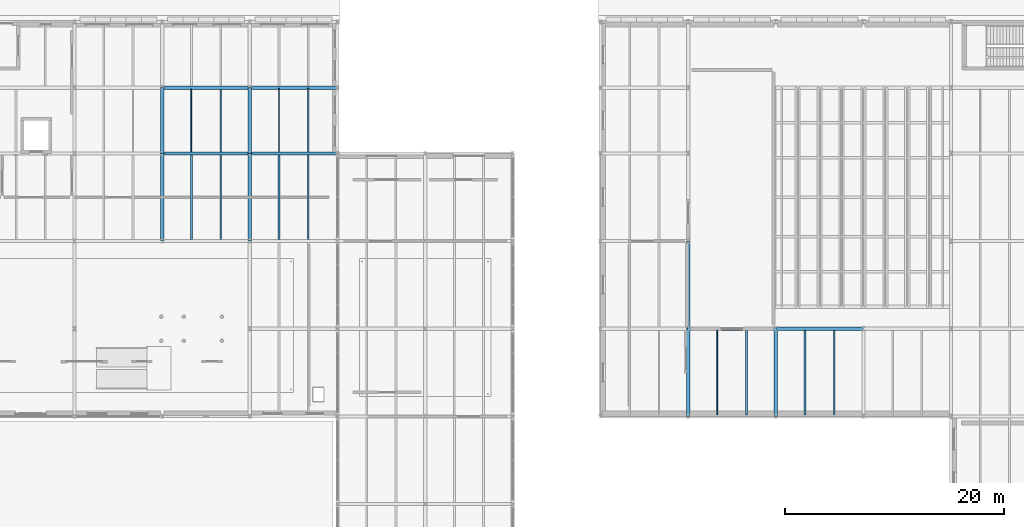
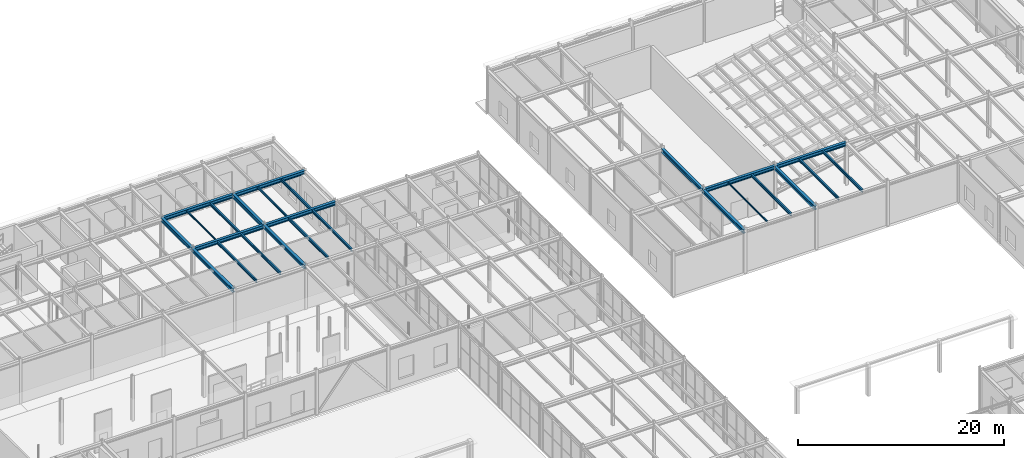
# One storey, part 52 of 129: 25 beams.
"""IFC4 building model written with IfcOpenShell, lengths in metres."""

from ifc_helpers import new_model, si_unit, direction, frame, origin, origin_2d, place, context, subcontext, project, spatial, i_section, extrude, material, material_profile, profile_set, type_object, element, save


model = new_model("IFC4")

# Units and contexts
model_context = context("Model", 3, precision=1e-05, world=origin(), true_north=direction((0.0, 1.0)))
body_context = subcontext(model_context, "Body", "Model", "MODEL_VIEW")
ifc_project = project(units=[si_unit("LENGTHUNIT", "METRE"), si_unit("AREAUNIT", "SQUARE_METRE"), si_unit("VOLUMEUNIT", "CUBIC_METRE"), si_unit("PLANEANGLEUNIT", "RADIAN"), si_unit("MASSUNIT", "GRAM", prefix="KILO")], contexts=[model_context])

# Site, building, storey
site_placement = place(None, origin())
site = spatial("IfcSite", under=ifc_project, at=site_placement, CompositionType="ELEMENT")
building_placement = place(site_placement, origin())
building = spatial("IfcBuilding", under=site, at=building_placement, Name="Sundkrona Museum", CompositionType="ELEMENT")
storey_placement = place(building_placement, origin())
storey = spatial("IfcBuildingStorey", under=building, at=storey_placement, Name="L00", CompositionType="ELEMENT", Elevation=0.0)

# Beams
ifc_material = material(Name="Steel S355J2", Category="steel")
ifc_material_profile_1 = material_profile(ifc_material, i_section(OverallWidth=0.300048828125, OverallDepth=0.43994140625, WebThickness=0.011474609375, FlangeThickness=0.02099609375, FilletRadius=0.027099609375, at=origin_2d()), Name="HEA 450")
ifc_profile_set_1 = profile_set([ifc_material_profile_1], Name="Steel S355J2")
beam_type_1 = type_object("IfcBeamType", Name="B-HEA450", PredefinedType="BEAM", material=ifc_profile_set_1)
for number, where, z_axis, x_axis, name in (
    (1, (112.0, 86.0, 4.830078125), (1.0, 0.0, 0.0), (0.0, 1.0, 0.0), "L00 Girder X-0541"),
    (2, (120.0, 86.0, 4.830078125), (1.0, 0.0, 0.0), (0.0, 1.0, 0.0), "L00 Girder X-0542"),
    (3, (64.0, 102.0, 4.93994140625), (1.0, 0.0, 0.0), (0.0, 1.0, 0.0), "L00 Girder X-0573"),
    (4, (72.0, 102.0, 4.919921875), (1.0, 0.0, 0.0), (0.0, 1.0, 0.0), "L00 Girder X-0574"),
    (5, (64.0, 108.0, 4.93994140625), (1.0, 0.0, 0.0), (0.0, 1.0, 0.0), "L00 Girder X-0590"),
    (6, (72.0, 108.0, 4.93994140625), (1.0, 0.0, 0.0), (0.0, 1.0, 0.0), "L00 Girder X-0591"),
    (7, (64.0, 94.0, 4.93994140625), (0.0, 1.0, 0.0), (-1.0, 0.0, 0.0), "L00 Girder Y-0663"),
):
    element("IfcBeam", number, at=place(storey_placement, frame(where, z_axis=z_axis, x_axis=x_axis)), inside=storey, type_object=beam_type_1, Name=name, PredefinedType="BEAM", context=body_context, shape_type="SweptSolid", body=[
        extrude(i_section(OverallWidth=0.300048828125, OverallDepth=0.43994140625, WebThickness=0.011474609375, FlangeThickness=0.02099609375, FilletRadius=0.027099609375, at=origin_2d()), origin(), (0.0, 0.0, 1.0), 8.0),
    ])
beam_1_placement = place(storey_placement, frame((64.0, 102.0, 4.93994140625), z_axis=(0.0, 1.0, 0.0), x_axis=(-1.0, 0.0, 0.0)))
element("IfcBeam", 8, at=beam_1_placement, inside=storey, type_object=beam_type_1, Name="L00 Girder Y-0664", PredefinedType="BEAM", context=body_context, shape_type="SweptSolid", body=[
    extrude(i_section(OverallWidth=0.300048828125, OverallDepth=0.43994140625, WebThickness=0.011474609375, FlangeThickness=0.02099609375, FilletRadius=0.027099609375, at=origin_2d()), origin(), (0.0, 0.0, 1.0), 6.0),
])
beam_2_placement = place(storey_placement, frame((72.0, 94.0, 4.93994140625), z_axis=(0.0, 1.0, 0.0), x_axis=(-1.0, 0.0, 0.0)))
element("IfcBeam", 9, at=beam_2_placement, inside=storey, type_object=beam_type_1, Name="L00 Girder Y-0668", PredefinedType="BEAM", context=body_context, shape_type="SweptSolid", body=[
    extrude(i_section(OverallWidth=0.300048828125, OverallDepth=0.43994140625, WebThickness=0.011474609375, FlangeThickness=0.02099609375, FilletRadius=0.027099609375, at=origin_2d()), origin(), (0.0, 0.0, 1.0), 8.0),
])
beam_3_placement = place(storey_placement, frame((72.0, 102.0, 4.93994140625), z_axis=(0.0, 1.0, 0.0), x_axis=(-1.0, 0.0, 0.0)))
element("IfcBeam", 10, at=beam_3_placement, inside=storey, type_object=beam_type_1, Name="L00 Girder Y-0669", PredefinedType="BEAM", context=body_context, shape_type="SweptSolid", body=[
    extrude(i_section(OverallWidth=0.300048828125, OverallDepth=0.43994140625, WebThickness=0.011474609375, FlangeThickness=0.02099609375, FilletRadius=0.027099609375, at=origin_2d()), origin(), (0.0, 0.0, 1.0), 6.0),
])
for number, where, z_axis, x_axis, name in (
    (11, (112.0, 78.0, 4.830078125), (0.0, 1.0, 0.0), (-1.0, 0.0, 0.0), "L00 Girder Y-0721"),
    (12, (112.0, 86.0, 4.830078125), (0.0, 1.0, 0.0), (-1.0, 0.0, 0.0), "L00 Girder Y-0722"),
    (13, (120.0, 78.0, 4.830078125), (0.0, 1.0, 0.0), (-1.0, 0.0, 0.0), "L00 Girder Y-0732"),
):
    element("IfcBeam", number, at=place(storey_placement, frame(where, z_axis=z_axis, x_axis=x_axis)), inside=storey, type_object=beam_type_1, Name=name, PredefinedType="BEAM", context=body_context, shape_type="SweptSolid", body=[
        extrude(i_section(OverallWidth=0.300048828125, OverallDepth=0.43994140625, WebThickness=0.011474609375, FlangeThickness=0.02099609375, FilletRadius=0.027099609375, at=origin_2d()), origin(), (0.0, 0.0, 1.0), 8.0),
    ])
ifc_material_profile_2 = material_profile(ifc_material, i_section(OverallWidth=0.091064453125, OverallDepth=0.179931640625, WebThickness=0.00537109375, FlangeThickness=0.008056640625, FilletRadius=0.009033203125, at=origin_2d()), Name="IPE 180")
ifc_profile_set_2 = profile_set([ifc_material_profile_2], Name="Steel S355J2")
beam_type_2 = type_object("IfcBeamType", Name="J-IPE180", PredefinedType="JOIST", material=ifc_profile_set_2)
beam_4_placement = place(storey_placement, frame((66.666748046875, 102.14404296875, 5.070068359375), z_axis=(0.0, 1.0, 0.0), x_axis=(-1.0, 0.0, 0.0)))
element("IfcBeam", 14, at=beam_4_placement, inside=storey, type_object=beam_type_2, Name="L00 Composite Joist 0375", PredefinedType="JOIST", context=body_context, shape_type="SweptSolid", body=[
    extrude(i_section(OverallWidth=0.091064453125, OverallDepth=0.179931640625, WebThickness=0.00537109375, FlangeThickness=0.008056640625, FilletRadius=0.009033203125, at=origin_2d()), origin(), (0.0, 0.0, 1.0), 5.7119140625),
])
beam_5_placement = place(storey_placement, frame((114.666748046875, 78.14404296875, 4.9599609375), z_axis=(0.0, 1.0, 0.0), x_axis=(-1.0, 0.0, 0.0)))
element("IfcBeam", 15, at=beam_5_placement, inside=storey, type_object=beam_type_2, Name="L00 Composite Joist 0455", PredefinedType="JOIST", context=body_context, shape_type="SweptSolid", body=[
    extrude(i_section(OverallWidth=0.091064453125, OverallDepth=0.179931640625, WebThickness=0.00537109375, FlangeThickness=0.008056640625, FilletRadius=0.009033203125, at=origin_2d()), origin(), (0.0, 0.0, 1.0), 7.7119140625),
])
ifc_material_profile_3 = material_profile(ifc_material, i_section(OverallWidth=0.1201171875, OverallDepth=0.239990234375, WebThickness=0.006103515625, FlangeThickness=0.009765625, FilletRadius=0.014892578125, at=origin_2d()), Name="IPE 240")
ifc_profile_set_3 = profile_set([ifc_material_profile_3], Name="Steel S355J2")
beam_type_3 = type_object("IfcBeamType", Name="J-IPE240", PredefinedType="JOIST", material=ifc_profile_set_3)
beam_6_placement = place(storey_placement, frame((74.666748046875, 102.14404296875, 5.02001953125), z_axis=(0.0, 1.0, 0.0), x_axis=(-1.0, 0.0, 0.0)))
element("IfcBeam", 16, at=beam_6_placement, inside=storey, type_object=beam_type_3, Name="L00 Composite Joist 0385", PredefinedType="JOIST", context=body_context, shape_type="SweptSolid", body=[
    extrude(i_section(OverallWidth=0.1201171875, OverallDepth=0.239990234375, WebThickness=0.006103515625, FlangeThickness=0.009765625, FilletRadius=0.014892578125, at=origin_2d()), origin(), (0.0, 0.0, 1.0), 5.841064453125),
])
ifc_material_profile_4 = material_profile(ifc_material, i_section(OverallWidth=0.159912109375, OverallDepth=0.330078125, WebThickness=0.007568359375, FlangeThickness=0.011474609375, FilletRadius=0.01806640625, at=origin_2d()), Name="IPE 330")
ifc_profile_set_4 = profile_set([ifc_material_profile_4], Name="Steel S355J2")
beam_type_4 = type_object("IfcBeamType", Name="J-IPE330", PredefinedType="JOIST", material=ifc_profile_set_4)
for number, where, z_axis, x_axis, name in (
    (17, (66.666748046875, 94.14404296875, 4.9951171875), (0.0, 1.0, 0.0), (-1.0, 0.0, 0.0), "L00 Composite Joist 0373"),
    (18, (69.333251953125, 94.14404296875, 4.9951171875), (0.0, 1.0, 0.0), (-1.0, 0.0, 0.0), "L00 Composite Joist 0374"),
):
    element("IfcBeam", number, at=place(storey_placement, frame(where, z_axis=z_axis, x_axis=x_axis)), inside=storey, type_object=beam_type_4, Name=name, PredefinedType="JOIST", context=body_context, shape_type="SweptSolid", body=[
        extrude(i_section(OverallWidth=0.159912109375, OverallDepth=0.330078125, WebThickness=0.007568359375, FlangeThickness=0.011474609375, FilletRadius=0.01806640625, at=origin_2d()), origin(), (0.0, 0.0, 1.0), 7.7119140625),
    ])
beam_7_placement = place(storey_placement, frame((69.333251953125, 102.14404296875, 4.9951171875), z_axis=(0.0, 1.0, 0.0), x_axis=(-1.0, 0.0, 0.0)))
element("IfcBeam", 19, at=beam_7_placement, inside=storey, type_object=beam_type_4, Name="L00 Composite Joist 0376", PredefinedType="JOIST", context=body_context, shape_type="SweptSolid", body=[
    extrude(i_section(OverallWidth=0.159912109375, OverallDepth=0.330078125, WebThickness=0.007568359375, FlangeThickness=0.011474609375, FilletRadius=0.01806640625, at=origin_2d()), origin(), (0.0, 0.0, 1.0), 5.7119140625),
])
for number, where, z_axis, x_axis, name in (
    (20, (74.666748046875, 94.14404296875, 4.97509765625), (0.0, 1.0, 0.0), (-1.0, 0.0, 0.0), "L00 Composite Joist 0383"),
    (21, (77.333251953125, 94.14404296875, 4.97509765625), (0.0, 1.0, 0.0), (-1.0, 0.0, 0.0), "L00 Composite Joist 0384"),
):
    element("IfcBeam", number, at=place(storey_placement, frame(where, z_axis=z_axis, x_axis=x_axis)), inside=storey, type_object=beam_type_4, Name=name, PredefinedType="JOIST", context=body_context, shape_type="SweptSolid", body=[
        extrude(i_section(OverallWidth=0.159912109375, OverallDepth=0.330078125, WebThickness=0.007568359375, FlangeThickness=0.011474609375, FilletRadius=0.01806640625, at=origin_2d()), origin(), (0.0, 0.0, 1.0), 7.7119140625),
    ])
beam_8_placement = place(storey_placement, frame((77.333251953125, 102.14404296875, 4.97509765625), z_axis=(0.0, 1.0, 0.0), x_axis=(-1.0, 0.0, 0.0)))
element("IfcBeam", 22, at=beam_8_placement, inside=storey, type_object=beam_type_4, Name="L00 Composite Joist 0386", PredefinedType="JOIST", context=body_context, shape_type="SweptSolid", body=[
    extrude(i_section(OverallWidth=0.159912109375, OverallDepth=0.330078125, WebThickness=0.007568359375, FlangeThickness=0.011474609375, FilletRadius=0.01806640625, at=origin_2d()), origin(), (0.0, 0.0, 1.0), 5.841064453125),
])
for number, where, z_axis, x_axis, name in (
    (23, (117.333251953125, 78.14404296875, 4.885009765625), (0.0, 1.0, 0.0), (-1.0, 0.0, 0.0), "L00 Composite Joist 0456"),
    (24, (122.666748046875, 78.14404296875, 4.885009765625), (0.0, 1.0, 0.0), (-1.0, 0.0, 0.0), "L00 Composite Joist 0461"),
    (25, (125.333251953125, 78.14404296875, 4.885009765625), (0.0, 1.0, 0.0), (-1.0, 0.0, 0.0), "L00 Composite Joist 0462"),
):
    element("IfcBeam", number, at=place(storey_placement, frame(where, z_axis=z_axis, x_axis=x_axis)), inside=storey, type_object=beam_type_4, Name=name, PredefinedType="JOIST", context=body_context, shape_type="SweptSolid", body=[
        extrude(i_section(OverallWidth=0.159912109375, OverallDepth=0.330078125, WebThickness=0.007568359375, FlangeThickness=0.011474609375, FilletRadius=0.01806640625, at=origin_2d()), origin(), (0.0, 0.0, 1.0), 7.7119140625),
    ])

save(model, "model.ifc")
